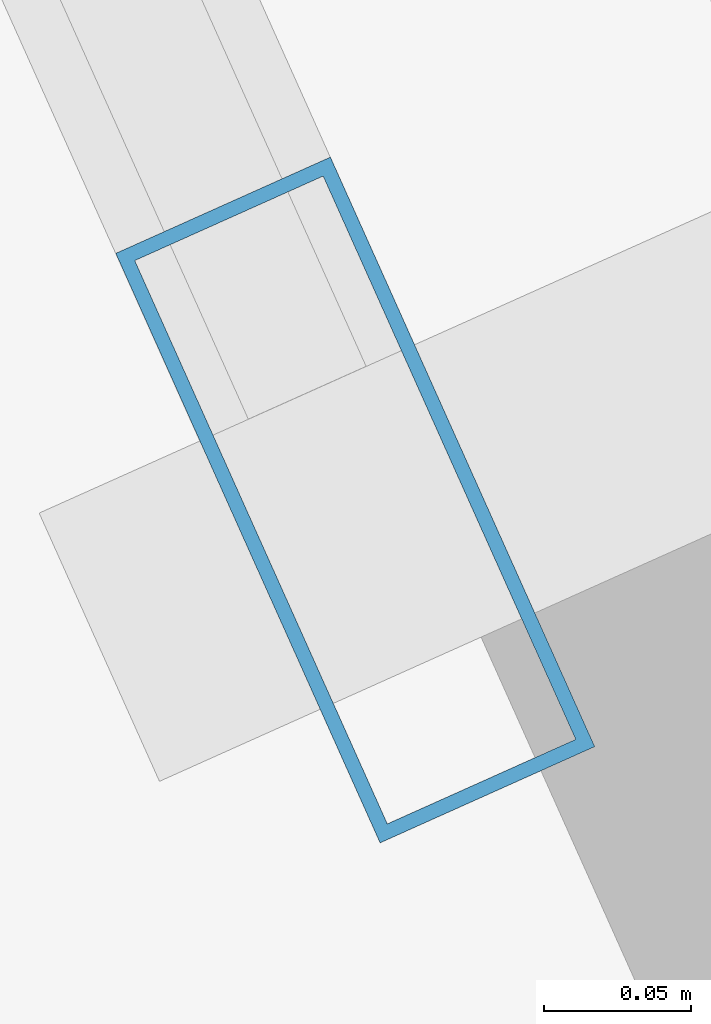
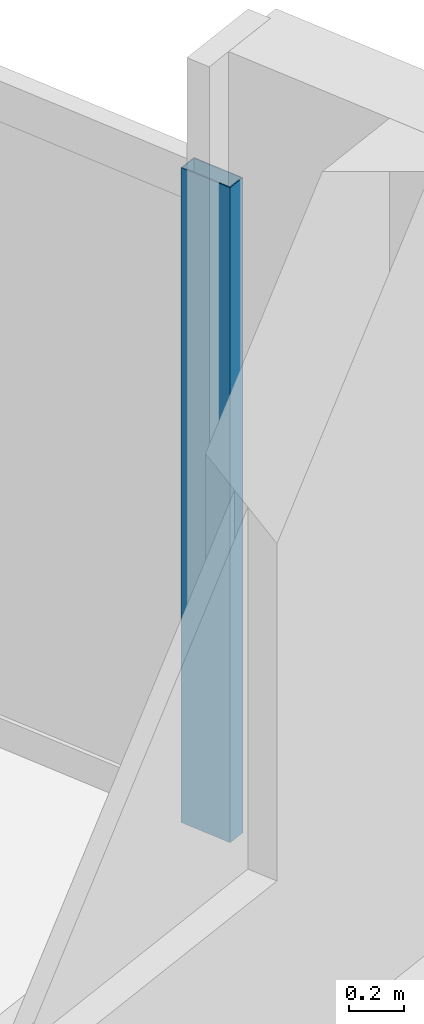
# One storey, part 26 of 38: 1 member, 1 element without a shape of its own.
"""IFC4 building model written with IfcOpenShell, lengths in metres."""

from ifc_helpers import new_model, si_unit, direction, frame, origin, origin_2d, place, context, subcontext, project, spatial, hollow_rectangle, extrude, material, material_profile, profile_set, type_object, element, aggregate, save


model = new_model("IFC4")

# Units and contexts
model_context = context("Model", 3, precision=1e-05, world=origin(), true_north=direction((0.0, 1.0)))
body_context = subcontext(model_context, "Body", "Model", "MODEL_VIEW")
ifc_project = project(units=[si_unit("LENGTHUNIT", "METRE"), si_unit("AREAUNIT", "SQUARE_METRE"), si_unit("VOLUMEUNIT", "CUBIC_METRE"), si_unit("PLANEANGLEUNIT", "RADIAN"), si_unit("MASSUNIT", "GRAM", prefix="KILO")], contexts=[model_context])

# Site, building, storey
site_placement = place(None, origin())
site = spatial("IfcSite", under=ifc_project, at=site_placement, CompositionType="ELEMENT")
building_placement = place(site_placement, origin())
building = spatial("IfcBuilding", under=site, at=building_placement, Name="Haldenkirk Collegiate Tower", CompositionType="ELEMENT")
storey_placement = place(building_placement, frame((0.0, 0.0, 109.199951171875)))
storey = spatial("IfcBuildingStorey", under=building, at=storey_placement, Name="L26", CompositionType="ELEMENT", Elevation=109.199951171875)

# Curtain wall, member
ifc_material = material(Name="Anodised architectural bronze aluminium", Category="aluminium")
curtain_wall_type = type_object("IfcCurtainWallType", Name="CW-SYS1-CONVEX-LOW", PredefinedType="USERDEFINED", material=ifc_material)
curtain_wall_placement = place(storey_placement, origin())
curtain_wall = element("IfcCurtainWall", 1, at=curtain_wall_placement, inside=storey, type_object=curtain_wall_type, Name="L26 Lower tower convex bronze-framed unitised curtain wall", ObjectType="UNITISED CURTAIN WALL", PredefinedType="USERDEFINED")
ifc_material_profile = material_profile(ifc_material, hollow_rectangle(XDim=0.080078125, YDim=0.219970703125, WallThickness=0.0048828125, at=origin_2d()), Name="CW-MUL-1A")
ifc_profile_set = profile_set([ifc_material_profile], Name="Anodised architectural bronze aluminium")
member_type = type_object("IfcMemberType", Name="CW-MUL-1A", PredefinedType="MULLION", material=ifc_profile_set)
member_placement = place(storey_placement, frame((67.613037109375, 18.847900390625, 0.0), z_axis=(0.0, 0.0, 1.0), x_axis=(0.912476490018, 0.409129142403, 0.0)))
member = element("IfcMember", 2, at=member_placement, type_object=member_type, Name="CW-1A mullion 5", PredefinedType="MULLION", context=body_context, shape_type="SweptSolid", body=[
    extrude(hollow_rectangle(XDim=0.080078125, YDim=0.219970703125, WallThickness=0.0048828125, at=origin_2d()), origin(), (0.0, 0.0, 1.0), 2.901123046875),
])
aggregate(curtain_wall, [member])

save(model, "model.ifc")
